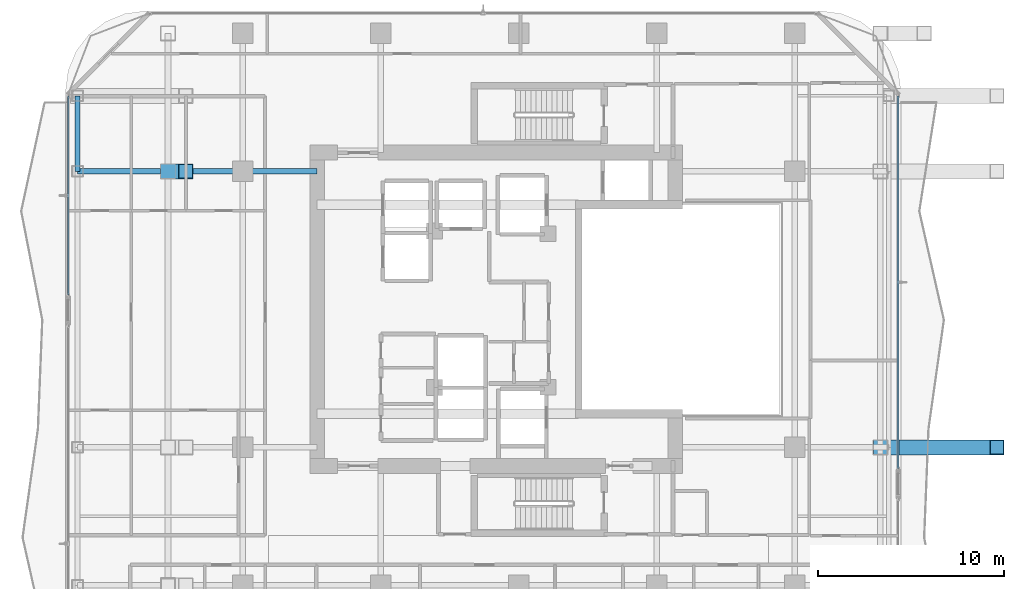
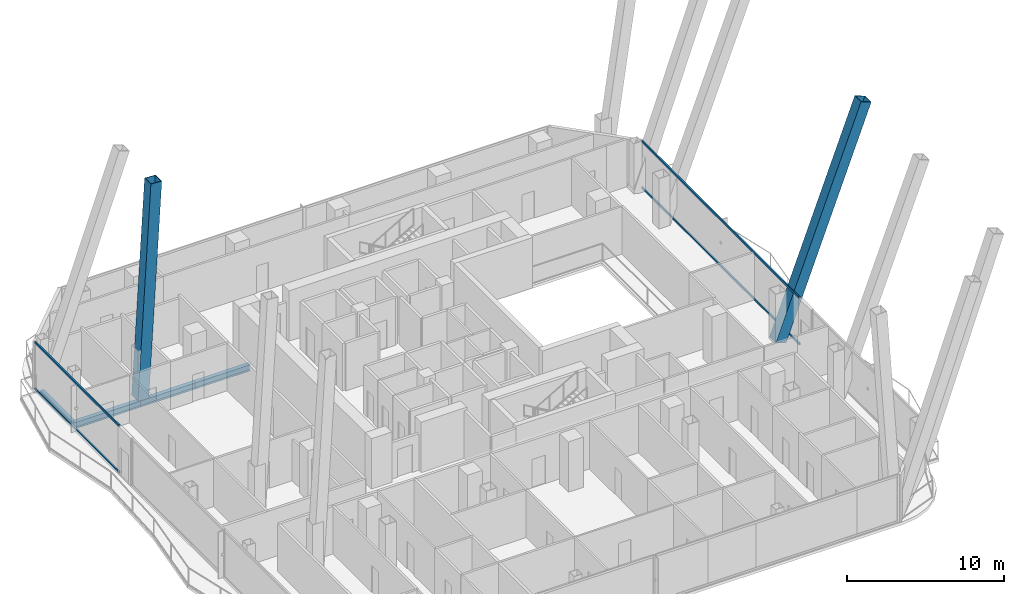
# One storey, part 13 of 27: 6 members, 4 beams, 2 elements without a shape of their own.
"""IFC4 building model written with IfcOpenShell, lengths in metres."""

from ifc_helpers import new_model, si_unit, direction, frame, origin, origin_2d, place, context, subcontext, project, spatial, hollow_rectangle, i_section, extrude, material, layer, layer_set, material_profile, profile_set, type_object, element, aggregate, save


model = new_model("IFC4")

# Units and contexts
model_context = context("Model", 3, precision=1e-05, world=origin(), true_north=direction((0.0, 1.0)))
body_context = subcontext(model_context, "Body", "Model", "MODEL_VIEW")
ifc_project = project(units=[si_unit("LENGTHUNIT", "METRE"), si_unit("AREAUNIT", "SQUARE_METRE"), si_unit("VOLUMEUNIT", "CUBIC_METRE"), si_unit("PLANEANGLEUNIT", "RADIAN"), si_unit("MASSUNIT", "GRAM", prefix="KILO")], contexts=[model_context])

# Site, building, storey
site_placement = place(None, origin())
site = spatial("IfcSite", under=ifc_project, at=site_placement, CompositionType="ELEMENT")
building_placement = place(site_placement, origin())
building = spatial("IfcBuilding", under=site, at=building_placement, Name="Khorvyn Point Tower", CompositionType="ELEMENT")
storey_placement = place(building_placement, frame((0.0, 0.0, 203.10009765625)))
storey = spatial("IfcBuildingStorey", under=building, at=storey_placement, Name="L50", CompositionType="ELEMENT", Elevation=203.10009765625)

# Curtain wall, members
ifc_material_1 = material(Name="Anodised aluminium 6063-T6 and laminated Low-E glass", Category="aluminium")
ifc_layer = layer(ifc_material_1, 0.18994140625)
ifc_layer_set = layer_set([ifc_layer], Name="Stick-Built Acoustic Curtain Wall CW-SYS-03")
curtain_wall_type = type_object("IfcCurtainWallType", Name="Stick-Built Acoustic Curtain Wall CW-SYS-03", PredefinedType="NOTDEFINED", material=ifc_layer_set)
curtain_wall_1_placement = place(storey_placement, origin())
curtain_wall_1 = element("IfcCurtainWall", 1, at=curtain_wall_1_placement, inside=storey, type_object=curtain_wall_type, Name="Curtain Wall", PredefinedType="NOTDEFINED")
ifc_material_2 = material(Name="Anodised aluminium 6063-T6", Category="aluminium")
ifc_material_profile_1 = material_profile(ifc_material_2, hollow_rectangle(XDim=0.10009765625, YDim=0.159912109375, WallThickness=0.00439453125, at=origin_2d()))
ifc_profile_set_1 = profile_set([ifc_material_profile_1], Name="Anodised aluminium 6063-T6 ALU-TRN-100x160")
member_type_1 = type_object("IfcMemberType", Name="Anodised Aluminium 6063-T6 Transom ALU-TRN-100x160", PredefinedType="USERDEFINED", material=ifc_profile_set_1)
member_1_placement = place(storey_placement, frame((-24.14990234375, 0.757080078125, 0.0498046875), z_axis=(0.0, 1.0, 0.0), x_axis=(-1.0, 0.0, 0.0)))
member_1 = element("IfcMember", 2, at=member_1_placement, type_object=member_type_1, Name="Transom", ObjectType="TRANSOM", PredefinedType="USERDEFINED", context=body_context, shape_type="SweptSolid", body=[
    extrude(hollow_rectangle(XDim=0.10009765625, YDim=0.159912109375, WallThickness=0.00439453125, at=origin_2d()), origin(), (0.0, 0.0, 1.0), 10.69287109375),
])
member_2_placement = place(storey_placement, frame((-24.14990234375, 0.757080078125, 3.6298828125), z_axis=(0.0, 1.0, 0.0), x_axis=(-1.0, 0.0, 0.0)))
member_2 = element("IfcMember", 3, at=member_2_placement, type_object=member_type_1, Name="Transom", ObjectType="TRANSOM", PredefinedType="USERDEFINED", context=body_context, shape_type="SweptSolid", body=[
    extrude(hollow_rectangle(XDim=0.10009765625, YDim=0.159912109375, WallThickness=0.00439453125, at=origin_2d()), origin(), (0.0, 0.0, 1.0), 10.69287109375),
])
aggregate(curtain_wall_1, [member_1, member_2])

curtain_wall_2_placement = place(storey_placement, origin())
curtain_wall_2 = element("IfcCurtainWall", 4, at=curtain_wall_2_placement, inside=storey, type_object=curtain_wall_type, Name="Curtain Wall", PredefinedType="NOTDEFINED")
member_3_placement = place(storey_placement, frame((20.35009765625, 11.449951171875, 0.0498046875), z_axis=(0.0, -1.0, 0.0), x_axis=(1.0, 0.0, 0.0)))
member_3 = element("IfcMember", 5, at=member_3_placement, type_object=member_type_1, Name="Transom", ObjectType="TRANSOM", PredefinedType="USERDEFINED", context=body_context, shape_type="SweptSolid", body=[
    extrude(hollow_rectangle(XDim=0.10009765625, YDim=0.159912109375, WallThickness=0.00439453125, at=origin_2d()), origin(), (0.0, 0.0, 1.0), 19.9970703125),
])
member_4_placement = place(storey_placement, frame((20.35009765625, 11.449951171875, 3.6298828125), z_axis=(0.0, -1.0, 0.0), x_axis=(1.0, 0.0, 0.0)))
member_4 = element("IfcMember", 6, at=member_4_placement, type_object=member_type_1, Name="Transom", ObjectType="TRANSOM", PredefinedType="USERDEFINED", context=body_context, shape_type="SweptSolid", body=[
    extrude(hollow_rectangle(XDim=0.10009765625, YDim=0.159912109375, WallThickness=0.00439453125, at=origin_2d()), origin(), (0.0, 0.0, 1.0), 19.9970703125),
])
aggregate(curtain_wall_2, [member_3, member_4])

# Beams
ifc_material_3 = material(Name="Steel S355", Category="steel")
ifc_material_profile_2 = material_profile(ifc_material_3, i_section(OverallWidth=0.300048828125, OverallDepth=0.488037109375, WebThickness=0.010986328125, FlangeThickness=0.01806640625, at=origin_2d()))
ifc_profile_set_2 = profile_set([ifc_material_profile_2], Name="Steel S355 H488x300x11x18")
beam_type_1 = type_object("IfcBeamType", Name="Steel S355 Spandrel H488x300x11x18", PredefinedType="SPANDREL", material=ifc_profile_set_2)
beam_1_placement = place(storey_placement, frame((-23.64990234375, 7.39990234375, -0.464111328125), z_axis=(1.0, 0.0, 0.0), x_axis=(0.0, 1.0, 0.0)))
element("IfcBeam", 7, at=beam_1_placement, inside=storey, type_object=beam_type_1, Name="Beam", PredefinedType="SPANDREL", context=body_context, shape_type="SweptSolid", body=[
    extrude(i_section(OverallWidth=0.300048828125, OverallDepth=0.488037109375, WebThickness=0.010986328125, FlangeThickness=0.01806640625, at=origin_2d()), origin(), (0.0, 0.0, 1.0), 4.849853515625),
])
for number, where, z_axis, x_axis, name in (
    (8, (-18.800048828125, 7.39990234375, -0.464111328125), (1.0, 0.0, 0.0), (0.0, 1.0, 0.0), "Beam"),
    (9, (-14.800048828125, 7.39990234375, -0.464111328125), (1.0, 0.0, 0.0), (0.0, 1.0, 0.0), "Beam"),
):
    element("IfcBeam", number, at=place(storey_placement, frame(where, z_axis=z_axis, x_axis=x_axis)), inside=storey, type_object=beam_type_1, Name=name, PredefinedType="SPANDREL", context=body_context, shape_type="SweptSolid", body=[
        extrude(i_section(OverallWidth=0.300048828125, OverallDepth=0.488037109375, WebThickness=0.010986328125, FlangeThickness=0.01806640625, at=origin_2d()), origin(), (0.0, 0.0, 1.0), 4.0),
    ])
ifc_material_profile_3 = material_profile(ifc_material_3, hollow_rectangle(XDim=0.25, YDim=0.39990234375, WallThickness=0.01611328125, at=origin_2d()))
ifc_profile_set_3 = profile_set([ifc_material_profile_3], Name="Steel S355 RHS400x250x16")
beam_type_2 = type_object("IfcBeamType", Name="Steel S355 Spandrel RHS400x250x16", PredefinedType="SPANDREL", material=ifc_profile_set_3)
beam_2_placement = place(storey_placement, frame((-23.64990234375, 7.39990234375, -0.420166015625), z_axis=(0.0, 1.0, 0.0), x_axis=(-1.0, 0.0, 0.0)))
element("IfcBeam", 10, at=beam_2_placement, inside=storey, type_object=beam_type_2, Name="Beam", PredefinedType="SPANDREL", context=body_context, shape_type="SweptSolid", body=[
    extrude(hollow_rectangle(XDim=0.25, YDim=0.39990234375, WallThickness=0.01611328125, at=origin_2d()), origin(), (0.0, 0.0, 1.0), 4.050048828125),
])

# Members
ifc_material_4 = material(Name="Steel S450", Category="steel")
ifc_material_profile_4 = material_profile(ifc_material_4, hollow_rectangle(XDim=0.800048828125, YDim=0.800048828125, WallThickness=0.035888671875, at=origin_2d()))
ifc_profile_set_4 = profile_set([ifc_material_profile_4], Name="Steel S450 BOX800x800x36")
member_type_2 = type_object("IfcMemberType", Name="Steel S450 Exoskeleton Structural Post BOX800x800x36", PredefinedType="POST", material=ifc_profile_set_4)
member_5_placement = place(storey_placement, frame((19.39990234375, -7.39990234375, 0.0), z_axis=(0.35422706261, 0.0, 0.93515944529), x_axis=(0.0, 1.0, 0.0)))
element("IfcMember", 11, at=member_5_placement, inside=storey, type_object=member_type_2, Name="L50 to L54 Exoskeleton Transfer Post 12", PredefinedType="POST", context=body_context, shape_type="SweptSolid", body=[
    extrude(hollow_rectangle(XDim=0.800048828125, YDim=0.800048828125, WallThickness=0.035888671875, at=origin_2d()), origin(), (0.0, 0.0, 1.0), 17.64404296875),
])
member_6_placement = place(storey_placement, frame((-18.800048828125, 7.39990234375, 0.0), z_axis=(0.057477618665, 0.0, 0.998346795133), x_axis=(0.0, 1.0, 0.0)))
element("IfcMember", 12, at=member_6_placement, inside=storey, type_object=member_type_2, Name="L50 to L54 Exoskeleton Transfer Post 13", PredefinedType="POST", context=body_context, shape_type="SweptSolid", body=[
    extrude(hollow_rectangle(XDim=0.800048828125, YDim=0.800048828125, WallThickness=0.035888671875, at=origin_2d()), origin(), (0.0, 0.0, 1.0), 16.52734375),
])

save(model, "model.ifc")
